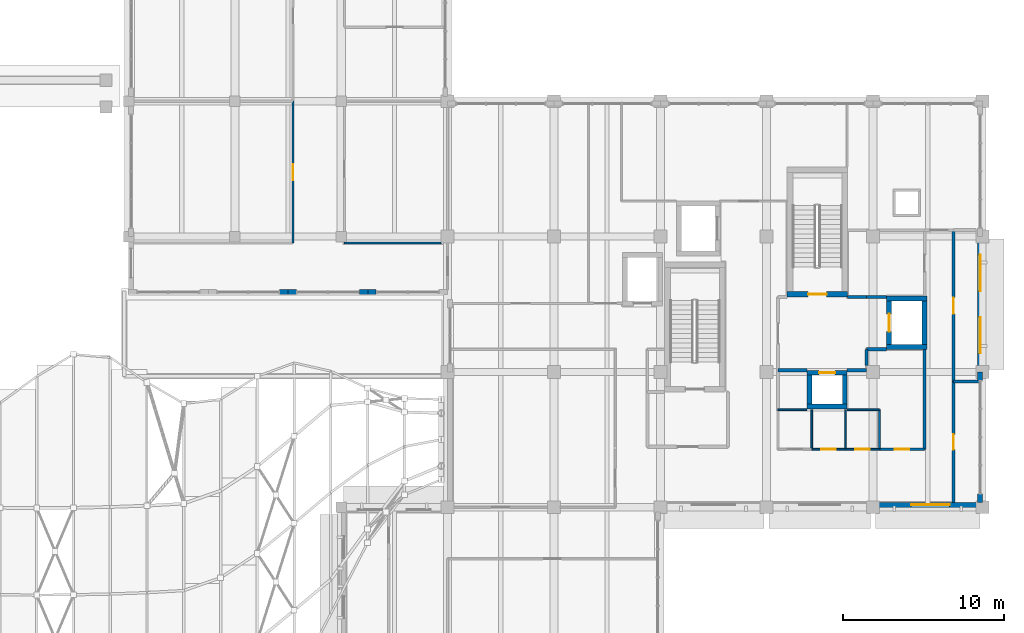
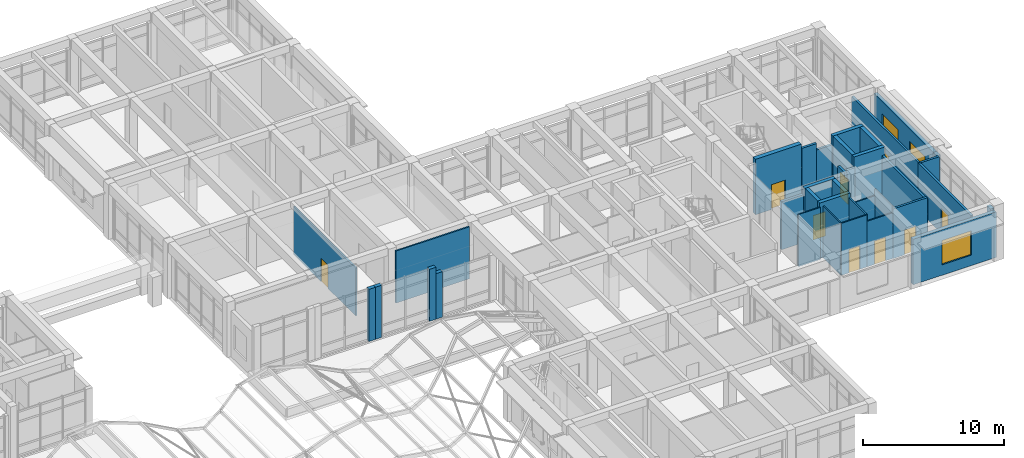
# One storey, part 59 of 79: 37 walls, 9 doors, 3 windows, 12 openings.
"""IFC4 building model written with IfcOpenShell, lengths in metres."""

from ifc_helpers import new_model, si_unit, direction, frame, frame_2d, origin, place, context, subcontext, project, spatial, rectangle, extrude, material, layer, layer_set, type_object, element, fill, save


model = new_model("IFC4")

# Units and contexts
model_context = context("Model", 3, precision=1e-05, world=origin(), true_north=direction((0.0, 1.0)))
body_context = subcontext(model_context, "Body", "Model", "MODEL_VIEW")
ifc_project = project(units=[si_unit("LENGTHUNIT", "METRE"), si_unit("AREAUNIT", "SQUARE_METRE"), si_unit("VOLUMEUNIT", "CUBIC_METRE"), si_unit("PLANEANGLEUNIT", "RADIAN"), si_unit("MASSUNIT", "GRAM", prefix="KILO")], contexts=[model_context])

# Site, building, storey
site_placement = place(None, origin())
site = spatial("IfcSite", under=ifc_project, at=site_placement, CompositionType="ELEMENT")
building_placement = place(site_placement, origin())
building = spatial("IfcBuilding", under=site, at=building_placement, Name="Kolvaren Faculty of Natural Sciences", CompositionType="ELEMENT")
storey_placement = place(building_placement, frame((0.0, 0.0, 10.199951171875)))
storey = spatial("IfcBuildingStorey", under=building, at=storey_placement, Name="L02", CompositionType="ELEMENT", Elevation=10.199951171875)

# Wall, opening, door
ifc_material_1 = material(Name="Concrete C40/50", Category="concrete")
ifc_layer_1 = layer(ifc_material_1, 0.35009765625)
ifc_layer_set_1 = layer_set([ifc_layer_1], Name="Concrete C40/50")
wall_type_1 = type_object("IfcWallType", Name="CoreShearWall_350", PredefinedType="SHEAR", material=ifc_layer_set_1)
wall_1_placement = place(storey_placement, frame((159.875, 72.22509765625, 0.0), z_axis=(0.0, 0.0, 1.0), x_axis=(1.0, 0.0, 0.0)))
wall_1 = element("IfcWall", 1, at=wall_1_placement, inside=storey, type_object=wall_type_1, Name="L02 CORE-C1 stair shear wall S", PredefinedType="SHEAR", context=body_context, shape_type="SweptSolid", body=[
    extrude(rectangle(XDim=3.75, YDim=0.35009765625, at=frame_2d((1.875, 0.0))), origin(), (0.0, 0.0, 1.0), 4.800048828125),
])
opening_1_placement = place(wall_1_placement, frame((1.300048828125, 0.0, 0.0)))
opening_1 = element("IfcOpeningElement", 2, at=opening_1_placement, cuts=wall_1, Name="Opening FD90", PredefinedType="OPENING", context=body_context, shape_type="SweptSolid", body=[
    extrude(rectangle(XDim=1.14990234375, YDim=2.14990234375, at=frame_2d((0.574951171875, 1.074951171875))), frame((0.0, 0.18505859375, 0.0), z_axis=(0.0, -1.0, 0.0), x_axis=(1.0, 0.0, 0.0)), (0.0, 0.0, 1.0), 0.3701171875),
])
ifc_material_2 = material(Name="Fire-rated solid-core hardwood door leaf in steel frame", Category="steel")
door_type_1 = type_object("IfcDoorType", Name="StairCoreFireDoor_1150x2150", OperationType="NOTDEFINED", PredefinedType="DOOR", material=ifc_material_2)
door_1_placement = place(opening_1_placement, origin())
door_1 = element("IfcDoor", 3, at=door_1_placement, inside=storey, type_object=door_type_1, Name="D-ST-ST-1-L02", OperationType="SINGLE_SWING_RIGHT", OverallHeight=2.14990234375, OverallWidth=1.14990234375, PredefinedType="DOOR", context=body_context, shape_type="SweptSolid", body=[
    extrude(rectangle(XDim=1.14990234375, YDim=2.14990234375, at=frame_2d((0.574951171875, 1.074951171875))), frame((0.0, 0.02490234375, 0.0), z_axis=(0.0, -1.0, 0.0), x_axis=(1.0, 0.0, 0.0)), (0.0, 0.0, 1.0), 0.050048828125),
])
fill(opening_1, door_1)

# Walls
ifc_material_3 = material(Name="Sandstone-faced insulated cavity masonry", Category="masonry")
ifc_layer_2 = layer(ifc_material_3, 0.300048828125)
ifc_layer_set_2 = layer_set([ifc_layer_2], Name="Sandstone-faced insulated cavity masonry")
wall_type_2 = type_object("IfcWallType", Name="ExteriorCavityWall_300", PredefinedType="STANDARD", material=ifc_layer_set_2)
wall_2_placement = place(storey_placement, frame((134.3701171875, 72.35009765625, 0.0), z_axis=(0.0, 0.0, 1.0), x_axis=(-1.0, 0.0, 0.0)))
element("IfcWall", 4, at=wall_2_placement, inside=storey, type_object=wall_type_2, Name="L02 curtain-wall pier stub 362", PredefinedType="STANDARD", context=body_context, shape_type="SweptSolid", body=[
    extrude(rectangle(XDim=0.52001953125, YDim=0.300048828125, at=frame_2d((0.260009765625, 0.0))), origin(), (0.0, 0.0, 1.0), 3.93505859375),
])
for number, where, z_axis, x_axis, name in (
    (5, (133.85009765625, 72.35009765625, 0.0), (0.0, 0.0, 1.0), (-1.0, 0.0, 0.0), "L02 curtain-wall pier stub 363"),
    (6, (129.419921875, 72.35009765625, 0.0), (0.0, 0.0, 1.0), (-1.0, 0.0, 0.0), "L02 curtain-wall pier stub 364"),
    (7, (128.89990234375, 72.35009765625, 0.0), (0.0, 0.0, 1.0), (-1.0, 0.0, 0.0), "L02 curtain-wall pier stub 365"),
):
    element("IfcWall", number, at=place(storey_placement, frame(where, z_axis=z_axis, x_axis=x_axis)), inside=storey, type_object=wall_type_2, Name=name, PredefinedType="STANDARD", context=body_context, shape_type="SweptSolid", body=[
        extrude(rectangle(XDim=0.52001953125, YDim=0.300048828125, at=frame_2d((0.260009765625, 0.0))), origin(), (0.0, 0.0, 1.0), 4.5),
    ])

# Wall, openings, windows
wall_3_placement = place(storey_placement, frame((171.85009765625, 75.800048828125, 0.0), z_axis=(0.0, 0.0, 1.0), x_axis=(0.0, -1.0, 0.0)))
wall_3 = element("IfcWall", 8, at=wall_3_placement, inside=storey, type_object=wall_type_2, Name="L02 exterior masonry wall EW-300 (400)", PredefinedType="STANDARD", context=body_context, shape_type="SweptSolid", body=[
    extrude(rectangle(XDim=8.400146484375, YDim=0.300048828125, at=frame_2d((4.2001953125, 0.0))), origin(), (0.0, 0.0, 1.0), 4.0849609375),
])
opening_2_placement = place(wall_3_placement, frame((1.14306640625, 0.0, 0.89990234375)))
opening_2 = element("IfcOpeningElement", 9, at=opening_2_placement, cuts=wall_3, Name="Opening WIN-08", PredefinedType="OPENING", context=body_context, shape_type="SweptSolid", body=[
    extrude(rectangle(XDim=2.25, YDim=2.10009765625, at=frame_2d((1.125, 1.050048828125))), frame((0.0, 0.159912109375, 0.0), z_axis=(0.0, -1.0, 0.0), x_axis=(1.0, 0.0, 0.0)), (0.0, 0.0, 1.0), 0.320068359375),
])
opening_3_placement = place(wall_3_placement, frame((5.007080078125, 0.0, 0.89990234375)))
opening_3 = element("IfcOpeningElement", 10, at=opening_3_placement, cuts=wall_3, Name="Opening WIN-08", PredefinedType="OPENING", context=body_context, shape_type="SweptSolid", body=[
    extrude(rectangle(XDim=2.25, YDim=2.10009765625, at=frame_2d((1.125, 1.050048828125))), frame((0.0, 0.159912109375, 0.0), z_axis=(0.0, -1.0, 0.0), x_axis=(1.0, 0.0, 0.0)), (0.0, 0.0, 1.0), 0.320068359375),
])
ifc_material_4 = material(Name="Double low-E solar control insulated glazing", Category="glass")
window_type_1 = type_object("IfcWindowType", Name="AluWindow_WIN08_2250x2100", PartitioningType="SINGLE_PANEL", PredefinedType="WINDOW", material=ifc_material_4)
window_1_placement = place(opening_2_placement, origin())
window_1 = element("IfcWindow", 11, at=window_1_placement, inside=storey, type_object=window_type_1, Name="WIN-L02-0284", OverallHeight=2.10009765625, OverallWidth=2.25, PartitioningType="SINGLE_PANEL", PredefinedType="WINDOW", context=body_context, shape_type="SweptSolid", body=[
    extrude(rectangle(XDim=2.25, YDim=2.10009765625, at=frame_2d((1.125, 1.050048828125))), frame((0.0, 0.030029296875, 0.0), z_axis=(0.0, -1.0, 0.0), x_axis=(1.0, 0.0, 0.0)), (0.0, 0.0, 1.0), 0.06005859375),
])
fill(opening_2, window_1)
window_2_placement = place(opening_3_placement, origin())
window_2 = element("IfcWindow", 12, at=window_2_placement, inside=storey, type_object=window_type_1, Name="WIN-L02-0285", OverallHeight=2.10009765625, OverallWidth=2.25, PartitioningType="SINGLE_PANEL", PredefinedType="WINDOW", context=body_context, shape_type="SweptSolid", body=[
    extrude(rectangle(XDim=2.25, YDim=2.10009765625, at=frame_2d((1.125, 1.050048828125))), frame((0.0, 0.030029296875, 0.0), z_axis=(0.0, -1.0, 0.0), x_axis=(1.0, 0.0, 0.0)), (0.0, 0.0, 1.0), 0.06005859375),
])
fill(opening_3, window_2)

# Walls
for number, where, z_axis, x_axis, name in (
    (13, (171.85009765625, 67.39990234375, 0.0), (0.0, 0.0, 1.0), (0.0, -1.0, 0.0), "L02 curtain-wall pier stub 401"),
    (14, (171.85009765625, 59.820068359375, 0.0), (0.0, 0.0, 1.0), (0.0, -1.0, 0.0), "L02 curtain-wall pier stub 402"),
):
    element("IfcWall", number, at=place(storey_placement, frame(where, z_axis=z_axis, x_axis=x_axis)), inside=storey, type_object=wall_type_2, Name=name, PredefinedType="STANDARD", context=body_context, shape_type="SweptSolid", body=[
        extrude(rectangle(XDim=0.52001953125, YDim=0.300048828125, at=frame_2d((0.260009765625, 0.0))), origin(), (0.0, 0.0, 1.0), 4.0849609375),
    ])

# Wall, opening, window
wall_4_placement = place(storey_placement, frame((172.0, 59.14990234375, 0.0), z_axis=(0.0, 0.0, 1.0), x_axis=(-1.0, 0.0, 0.0)))
wall_4 = element("IfcWall", 15, at=wall_4_placement, inside=storey, type_object=wall_type_2, Name="L02 exterior masonry wall EW-300 (403)", PredefinedType="STANDARD", context=body_context, shape_type="SweptSolid", body=[
    extrude(rectangle(XDim=6.800048828125, YDim=0.300048828125, at=frame_2d((3.39990234375, 0.0))), origin(), (0.0, 0.0, 1.0), 3.93505859375),
])
opening_4_placement = place(wall_4_placement, frame((2.0400390625, 0.0, 0.89990234375)))
opening_4 = element("IfcOpeningElement", 16, at=opening_4_placement, cuts=wall_4, Name="Opening WIN-09", PredefinedType="OPENING", context=body_context, shape_type="SweptSolid", body=[
    extrude(rectangle(XDim=2.39990234375, YDim=2.10009765625, at=frame_2d((1.199951171875, 1.050048828125))), frame((0.0, 0.159912109375, 0.0), z_axis=(0.0, -1.0, 0.0), x_axis=(1.0, 0.0, 0.0)), (0.0, 0.0, 1.0), 0.320068359375),
])
window_type_2 = type_object("IfcWindowType", Name="AluWindow_WIN09_2400x2100", PartitioningType="SINGLE_PANEL", PredefinedType="WINDOW", material=ifc_material_4)
window_3_placement = place(opening_4_placement, origin())
window_3 = element("IfcWindow", 17, at=window_3_placement, inside=storey, type_object=window_type_2, Name="WIN-L02-0286", OverallHeight=2.10009765625, OverallWidth=2.39990234375, PartitioningType="SINGLE_PANEL", PredefinedType="WINDOW", context=body_context, shape_type="SweptSolid", body=[
    extrude(rectangle(XDim=2.39990234375, YDim=2.10009765625, at=frame_2d((1.199951171875, 1.050048828125))), frame((0.0, 0.030029296875, 0.0), z_axis=(0.0, -1.0, 0.0), x_axis=(1.0, 0.0, 0.0)), (0.0, 0.0, 1.0), 0.06005859375),
])
fill(opening_4, window_3)

# Walls
ifc_material_5 = material(Name="Autoclaved aerated fire-rated masonry blockwork", Category="masonry")
ifc_layer_3 = layer(ifc_material_5, 0.199951171875)
ifc_layer_set_3 = layer_set([ifc_layer_3], Name="Autoclaved aerated fire-rated masonry blockwork")
wall_type_3 = type_object("IfcWallType", Name="FireLobbyWall_200", PredefinedType="PARTITIONING", material=ifc_layer_set_3)
wall_5_placement = place(storey_placement, frame((163.625, 72.050048828125, 0.0), z_axis=(0.0, 0.0, 1.0), x_axis=(1.0, 0.0, 0.0)))
element("IfcWall", 18, at=wall_5_placement, inside=storey, type_object=wall_type_3, Name="L02 interior partition FW-200", PredefinedType="PARTITIONING", context=body_context, shape_type="SweptSolid", body=[
    extrude(rectangle(XDim=1.175048828125, YDim=0.199951171875, at=frame_2d((0.58740234375, 0.0))), origin(), (0.0, 0.0, 1.0), 4.4951171875),
])
for number, where, z_axis, x_axis, name in (
    (19, (164.800048828125, 72.050048828125, 0.0), (0.0, 0.0, 1.0), (1.0, 0.0, 0.0), "L02 interior partition FW-200"),
    (20, (166.050048828125, 68.800048828125, 0.0), (0.0, 0.0, 1.0), (-1.0, 0.0, 0.0), "L02 interior partition FW-200"),
):
    element("IfcWall", number, at=place(storey_placement, frame(where, z_axis=z_axis, x_axis=x_axis)), inside=storey, type_object=wall_type_3, Name=name, PredefinedType="PARTITIONING", context=body_context, shape_type="SweptSolid", body=[
        extrude(rectangle(XDim=1.25, YDim=0.199951171875, at=frame_2d((0.625, 0.0))), origin(), (0.0, 0.0, 1.0), 3.93505859375),
    ])
wall_6_placement = place(storey_placement, frame((164.800048828125, 68.800048828125, 0.0), z_axis=(0.0, 0.0, 1.0), x_axis=(0.0, -1.0, 0.0)))
element("IfcWall", 21, at=wall_6_placement, inside=storey, type_object=wall_type_3, Name="L02 interior partition FW-200", PredefinedType="PARTITIONING", context=body_context, shape_type="SweptSolid", body=[
    extrude(rectangle(XDim=1.0, YDim=0.199951171875, at=frame_2d((0.5, 0.0))), origin(), (0.0, 0.0, 1.0), 4.4951171875),
])
wall_7_placement = place(storey_placement, frame((164.800048828125, 67.5, 0.0), z_axis=(0.0, 0.0, 1.0), x_axis=(-1.0, 0.0, 0.0)))
element("IfcWall", 22, at=wall_7_placement, inside=storey, type_object=wall_type_3, Name="L02 interior partition FW-200", PredefinedType="PARTITIONING", context=body_context, shape_type="SweptSolid", body=[
    extrude(rectangle(XDim=1.199951171875, YDim=0.199951171875, at=frame_2d((0.60009765625, 0.0))), origin(), (0.0, 0.0, 1.0), 4.135009765625),
])
wall_8_placement = place(storey_placement, frame((161.10009765625, 67.5, 0.0), z_axis=(0.0, 0.0, 1.0), x_axis=(-1.0, 0.0, 0.0)))
element("IfcWall", 23, at=wall_8_placement, inside=storey, type_object=wall_type_3, Name="L02 interior partition FW-200", PredefinedType="PARTITIONING", context=body_context, shape_type="SweptSolid", body=[
    extrude(rectangle(XDim=1.800048828125, YDim=0.199951171875, at=frame_2d((0.89990234375, 0.0))), origin(), (0.0, 0.0, 1.0), 4.135009765625),
])

# Wall, opening, door
ifc_material_6 = material(Name="Acoustic mineral-wool insulated gypsum partition")
ifc_layer_4 = layer(ifc_material_6, 0.179931640625)
ifc_layer_set_4 = layer_set([ifc_layer_4], Name="Acoustic mineral-wool insulated gypsum partition")
wall_type_4 = type_object("IfcWallType", Name="LabPartitionWall_180", PredefinedType="PARTITIONING", material=ifc_layer_set_4)
wall_9_placement = place(storey_placement, frame((170.199951171875, 59.302001953125, 0.0), z_axis=(0.0, 0.0, 1.0), x_axis=(0.0, 1.0, 0.0)))
wall_9 = element("IfcWall", 24, at=wall_9_placement, inside=storey, type_object=wall_type_4, Name="L02 interior partition PW-180", PredefinedType="PARTITIONING", context=body_context, shape_type="SweptSolid", body=[
    extrude(rectangle(XDim=7.498046875, YDim=0.179931640625, at=frame_2d((3.7490234375, 0.0))), origin(), (0.0, 0.0, 1.0), 4.0849609375),
])
opening_5_placement = place(wall_9_placement, frame((3.26904296875, 0.0, 0.0)))
opening_5 = element("IfcOpeningElement", 25, at=opening_5_placement, cuts=wall_9, Name="Opening ID-20", PredefinedType="OPENING", context=body_context, shape_type="SweptSolid", body=[
    extrude(rectangle(XDim=0.9599609375, YDim=2.139892578125, at=frame_2d((0.47998046875, 1.06982421875))), frame((0.0, 0.099853515625, 0.0), z_axis=(0.0, -1.0, 0.0), x_axis=(1.0, 0.0, 0.0)), (0.0, 0.0, 1.0), 0.199951171875),
])
ifc_material_7 = material(Name="Solid-core hardwood veneer door leaf in steel frame", Category="steel")
door_type_2 = type_object("IfcDoorType", Name="InteriorRoomDoor_960x2140", OperationType="NOTDEFINED", PredefinedType="DOOR", material=ifc_material_7)
door_2_placement = place(opening_5_placement, origin())
door_2 = element("IfcDoor", 26, at=door_2_placement, inside=storey, type_object=door_type_2, Name="D-L02-0213", OperationType="SINGLE_SWING_LEFT", OverallHeight=2.139892578125, OverallWidth=0.9599609375, PredefinedType="DOOR", context=body_context, shape_type="SweptSolid", body=[
    extrude(rectangle(XDim=0.9599609375, YDim=2.139892578125, at=frame_2d((0.47998046875, 1.06982421875))), frame((0.0, 0.02490234375, 0.0), z_axis=(0.0, -1.0, 0.0), x_axis=(1.0, 0.0, 0.0)), (0.0, 0.0, 1.0), 0.050048828125),
])
fill(opening_5, door_2)

# Walls
wall_10_placement = place(storey_placement, frame((170.199951171875, 66.800048828125, 0.0), z_axis=(0.0, 0.0, 1.0), x_axis=(1.0, 0.0, 0.0)))
element("IfcWall", 27, at=wall_10_placement, inside=storey, type_object=wall_type_4, Name="L02 interior partition PW-180", PredefinedType="PARTITIONING", context=body_context, shape_type="SweptSolid", body=[
    extrude(rectangle(XDim=1.6201171875, YDim=0.179931640625, at=frame_2d((0.81005859375, 0.0))), origin(), (0.0, 0.0, 1.0), 4.0849609375),
])
ifc_layer_5 = layer(ifc_material_6, 0.18505859375)
ifc_layer_set_5 = layer_set([ifc_layer_5], Name="Acoustic mineral-wool insulated gypsum partition")
wall_type_5 = type_object("IfcWallType", Name="LabPartitionWall_185", PredefinedType="PARTITIONING", material=ifc_layer_set_5)
wall_11_placement = place(storey_placement, frame((168.39990234375, 68.798095703125, 0.0), z_axis=(0.0, 0.0, 1.0), x_axis=(0.0, -1.0, 0.0)))
element("IfcWall", 28, at=wall_11_placement, inside=storey, type_object=wall_type_5, Name="L02 interior partition PW-185", PredefinedType="PARTITIONING", context=body_context, shape_type="SweptSolid", body=[
    extrude(rectangle(XDim=6.197998046875, YDim=0.18505859375, at=frame_2d((3.09912109375, 0.0))), origin(), (0.0, 0.0, 1.0), 4.135009765625),
])

# Wall, opening, door
wall_12_placement = place(storey_placement, frame((168.39990234375, 62.60009765625, 0.0), z_axis=(0.0, 0.0, 1.0), x_axis=(-1.0, 0.0, 0.0)))
wall_12 = element("IfcWall", 29, at=wall_12_placement, inside=storey, type_object=wall_type_5, Name="L02 interior partition PW-185", PredefinedType="PARTITIONING", context=body_context, shape_type="SweptSolid", body=[
    extrude(rectangle(XDim=2.7998046875, YDim=0.18505859375, at=frame_2d((1.39990234375, 0.0))), origin(), (0.0, 0.0, 1.0), 4.28515625),
])
opening_6_placement = place(wall_12_placement, frame((0.93994140625, 0.0, 0.0)))
opening_6 = element("IfcOpeningElement", 30, at=opening_6_placement, cuts=wall_12, Name="Opening ID-19", PredefinedType="OPENING", context=body_context, shape_type="SweptSolid", body=[
    extrude(rectangle(XDim=0.919921875, YDim=2.139892578125, at=frame_2d((0.4599609375, 1.06982421875))), frame((0.0, 0.1025390625, 0.0), z_axis=(0.0, -1.0, 0.0), x_axis=(1.0, 0.0, 0.0)), (0.0, 0.0, 1.0), 0.205078125),
])
door_type_3 = type_object("IfcDoorType", Name="InteriorRoomDoor_920x2140", OperationType="NOTDEFINED", PredefinedType="DOOR", material=ifc_material_7)
door_3_placement = place(opening_6_placement, origin())
door_3 = element("IfcDoor", 31, at=door_3_placement, inside=storey, type_object=door_type_3, Name="D-L02-0212", OperationType="SINGLE_SWING_RIGHT", OverallHeight=2.139892578125, OverallWidth=0.919921875, PredefinedType="DOOR", context=body_context, shape_type="SweptSolid", body=[
    extrude(rectangle(XDim=0.919921875, YDim=2.139892578125, at=frame_2d((0.4599609375, 1.06982421875))), frame((0.0, 0.02490234375, 0.0), z_axis=(0.0, -1.0, 0.0), x_axis=(1.0, 0.0, 0.0)), (0.0, 0.0, 1.0), 0.050048828125),
])
fill(opening_6, door_3)

ifc_layer_6 = layer(ifc_material_6, 0.1298828125)
ifc_layer_set_6 = layer_set([ifc_layer_6], Name="Acoustic mineral-wool insulated gypsum partition")
wall_type_6 = type_object("IfcWallType", Name="OfficePartitionWall_130", PredefinedType="PARTITIONING", material=ifc_layer_set_6)
wall_13_placement = place(storey_placement, frame((129.199951171875, 84.199951171875, 0.0), z_axis=(0.0, 0.0, 1.0), x_axis=(0.0, -1.0, 0.0)))
wall_13 = element("IfcWall", 32, at=wall_13_placement, inside=storey, type_object=wall_type_6, Name="L02 interior partition PW-130", PredefinedType="PARTITIONING", context=body_context, shape_type="SweptSolid", body=[
    extrude(rectangle(XDim=8.800048828125, YDim=0.1298828125, at=frame_2d((4.39990234375, 0.0))), origin(), (0.0, 0.0, 1.0), 4.135009765625),
])
opening_7_placement = place(wall_13_placement, frame((3.909912109375, 0.0, 0.0)))
opening_7 = element("IfcOpeningElement", 33, at=opening_7_placement, cuts=wall_13, Name="Opening ID-03", PredefinedType="OPENING", context=body_context, shape_type="SweptSolid", body=[
    extrude(rectangle(XDim=0.97998046875, YDim=2.02001953125, at=frame_2d((0.489990234375, 1.010009765625))), frame((0.0, 0.074951171875, 0.0), z_axis=(0.0, -1.0, 0.0), x_axis=(1.0, 0.0, 0.0)), (0.0, 0.0, 1.0), 0.14990234375),
])
door_type_4 = type_object("IfcDoorType", Name="InteriorRoomDoor_980x2020", OperationType="NOTDEFINED", PredefinedType="DOOR", material=ifc_material_7)
door_4_placement = place(opening_7_placement, origin())
door_4 = element("IfcDoor", 34, at=door_4_placement, inside=storey, type_object=door_type_4, Name="D-L02-0187", OperationType="SINGLE_SWING_LEFT", OverallHeight=2.02001953125, OverallWidth=0.97998046875, PredefinedType="DOOR", context=body_context, shape_type="SweptSolid", body=[
    extrude(rectangle(XDim=0.97998046875, YDim=2.02001953125, at=frame_2d((0.489990234375, 1.010009765625))), frame((0.0, 0.02490234375, 0.0), z_axis=(0.0, -1.0, 0.0), x_axis=(1.0, 0.0, 0.0)), (0.0, 0.0, 1.0), 0.050048828125),
])
fill(opening_7, door_4)

ifc_layer_7 = layer(ifc_material_6, 0.169921875)
ifc_layer_set_7 = layer_set([ifc_layer_7], Name="Acoustic mineral-wool insulated gypsum partition")
wall_type_7 = type_object("IfcWallType", Name="SeminarPartitionWall_170", PredefinedType="PARTITIONING", material=ifc_layer_set_7)
wall_14_placement = place(storey_placement, frame((170.199951171875, 66.800048828125, 0.0), z_axis=(0.0, 0.0, 1.0), x_axis=(0.0, 1.0, 0.0)))
wall_14 = element("IfcWall", 35, at=wall_14_placement, inside=storey, type_object=wall_type_7, Name="L02 interior partition PW-170", PredefinedType="PARTITIONING", context=body_context, shape_type="SweptSolid", body=[
    extrude(rectangle(XDim=9.39990234375, YDim=0.169921875, at=frame_2d((4.699951171875, 0.0))), origin(), (0.0, 0.0, 1.0), 4.135009765625),
])
opening_8_placement = place(wall_14_placement, frame((4.195068359375, 0.0, 0.0)))
opening_8 = element("IfcOpeningElement", 36, at=opening_8_placement, cuts=wall_14, Name="Opening ID-21", PredefinedType="OPENING", context=body_context, shape_type="SweptSolid", body=[
    extrude(rectangle(XDim=1.010009765625, YDim=2.139892578125, at=frame_2d((0.5048828125, 1.06982421875))), frame((0.0, 0.094970703125, 0.0), z_axis=(0.0, -1.0, 0.0), x_axis=(1.0, 0.0, 0.0)), (0.0, 0.0, 1.0), 0.18994140625),
])
door_type_5 = type_object("IfcDoorType", Name="InteriorRoomDoor_1010x2140", OperationType="NOTDEFINED", PredefinedType="DOOR", material=ifc_material_7)
door_5_placement = place(opening_8_placement, origin())
door_5 = element("IfcDoor", 37, at=door_5_placement, inside=storey, type_object=door_type_5, Name="D-L02-0214", OperationType="SINGLE_SWING_RIGHT", OverallHeight=2.139892578125, OverallWidth=1.010009765625, PredefinedType="DOOR", context=body_context, shape_type="SweptSolid", body=[
    extrude(rectangle(XDim=1.010009765625, YDim=2.139892578125, at=frame_2d((0.5048828125, 1.06982421875))), frame((0.0, 0.02490234375, 0.0), z_axis=(0.0, -1.0, 0.0), x_axis=(1.0, 0.0, 0.0)), (0.0, 0.0, 1.0), 0.050048828125),
])
fill(opening_8, door_5)

# Walls
ifc_layer_8 = layer(ifc_material_1, 0.300048828125)
ifc_layer_set_8 = layer_set([ifc_layer_8], Name="Concrete C40/50")
wall_type_8 = type_object("IfcWallType", Name="ShaftShearWall_300", PredefinedType="SHEAR", material=ifc_layer_set_8)
for number, where, z_axis, x_axis, name in (
    (38, (166.050048828125, 68.949951171875, 0.0), (0.0, 0.0, 1.0), (1.0, 0.0, 0.0), "L02 lift FL-1 shaft wall S"),
    (39, (166.050048828125, 71.949951171875, 0.0), (0.0, 0.0, 1.0), (1.0, 0.0, 0.0), "L02 lift FL-1 shaft wall N"),
):
    element("IfcWall", number, at=place(storey_placement, frame(where, z_axis=z_axis, x_axis=x_axis)), inside=storey, type_object=wall_type_8, Name=name, PredefinedType="SHEAR", context=body_context, shape_type="SweptSolid", body=[
        extrude(rectangle(XDim=2.5, YDim=0.300048828125, at=frame_2d((1.25, 0.0))), origin(), (0.0, 0.0, 1.0), 4.800048828125),
    ])

# Wall, opening, door
wall_15_placement = place(storey_placement, frame((166.199951171875, 69.10009765625, 0.0), z_axis=(0.0, 0.0, 1.0), x_axis=(0.0, 1.0, 0.0)))
wall_15 = element("IfcWall", 40, at=wall_15_placement, inside=storey, type_object=wall_type_8, Name="L02 lift FL-1 shaft wall W", PredefinedType="SHEAR", context=body_context, shape_type="SweptSolid", body=[
    extrude(rectangle(XDim=2.699951171875, YDim=0.300048828125, at=frame_2d((1.35009765625, 0.0))), origin(), (0.0, 0.0, 1.0), 4.800048828125),
])
opening_9_placement = place(wall_15_placement, frame((0.800048828125, 0.0, 0.0)))
opening_9 = element("IfcOpeningElement", 41, at=opening_9_placement, cuts=wall_15, Name="Opening LD-01", PredefinedType="OPENING", context=body_context, shape_type="SweptSolid", body=[
    extrude(rectangle(XDim=1.10009765625, YDim=2.10009765625, at=frame_2d((0.550048828125, 1.050048828125))), frame((0.0, 0.159912109375, 0.0), z_axis=(0.0, -1.0, 0.0), x_axis=(1.0, 0.0, 0.0)), (0.0, 0.0, 1.0), 0.320068359375),
])
ifc_material_8 = material(Name="Brushed stainless steel lift car and sliding door assembly", Category="steel")
door_type_6 = type_object("IfcDoorType", Name="LiftLandingSliding_1100x2100", OperationType="DOUBLE_DOOR_SLIDING", PredefinedType="DOOR", material=ifc_material_8)
door_6_placement = place(opening_9_placement, origin())
door_6 = element("IfcDoor", 42, at=door_6_placement, inside=storey, type_object=door_type_6, Name="D-LIFT-FL-1-L02", OperationType="DOUBLE_DOOR_SLIDING", OverallHeight=2.10009765625, OverallWidth=1.10009765625, PredefinedType="DOOR", context=body_context, shape_type="SweptSolid", body=[
    extrude(rectangle(XDim=1.10009765625, YDim=2.10009765625, at=frame_2d((0.550048828125, 1.050048828125))), frame((0.0, 0.02490234375, 0.0), z_axis=(0.0, -1.0, 0.0), x_axis=(1.0, 0.0, 0.0)), (0.0, 0.0, 1.0), 0.050048828125),
])
fill(opening_9, door_6)

# Walls
wall_16_placement = place(storey_placement, frame((168.39990234375, 69.10009765625, 0.0), z_axis=(0.0, 0.0, 1.0), x_axis=(0.0, 1.0, 0.0)))
element("IfcWall", 43, at=wall_16_placement, inside=storey, type_object=wall_type_8, Name="L02 lift FL-1 shaft wall E", PredefinedType="SHEAR", context=body_context, shape_type="SweptSolid", body=[
    extrude(rectangle(XDim=2.699951171875, YDim=0.300048828125, at=frame_2d((1.35009765625, 0.0))), origin(), (0.0, 0.0, 1.0), 4.800048828125),
])
wall_17_placement = place(storey_placement, frame((161.10009765625, 65.25, 0.0), z_axis=(0.0, 0.0, 1.0), x_axis=(1.0, 0.0, 0.0)))
element("IfcWall", 44, at=wall_17_placement, inside=storey, type_object=wall_type_8, Name="L02 lift PL-1 shaft wall S", PredefinedType="SHEAR", context=body_context, shape_type="SweptSolid", body=[
    extrude(rectangle(XDim=2.5, YDim=0.300048828125, at=frame_2d((1.25, 0.0))), origin(), (0.0, 0.0, 1.0), 4.800048828125),
])

# Wall, opening, door
wall_18_placement = place(storey_placement, frame((161.10009765625, 67.35009765625, 0.0), z_axis=(0.0, 0.0, 1.0), x_axis=(1.0, 0.0, 0.0)))
wall_18 = element("IfcWall", 45, at=wall_18_placement, inside=storey, type_object=wall_type_8, Name="L02 lift PL-1 shaft wall N", PredefinedType="SHEAR", context=body_context, shape_type="SweptSolid", body=[
    extrude(rectangle(XDim=2.5, YDim=0.300048828125, at=frame_2d((1.25, 0.0))), origin(), (0.0, 0.0, 1.0), 4.800048828125),
])
opening_10_placement = place(wall_18_placement, frame((0.75, 0.0, 0.0)))
opening_10 = element("IfcOpeningElement", 46, at=opening_10_placement, cuts=wall_18, Name="Opening LD-02", PredefinedType="OPENING", context=body_context, shape_type="SweptSolid", body=[
    extrude(rectangle(XDim=1.0, YDim=2.10009765625, at=frame_2d((0.5, 1.050048828125))), frame((0.0, 0.159912109375, 0.0), z_axis=(0.0, -1.0, 0.0), x_axis=(1.0, 0.0, 0.0)), (0.0, 0.0, 1.0), 0.320068359375),
])
door_type_7 = type_object("IfcDoorType", Name="LiftLandingSliding_1000x2100", OperationType="SLIDING_TO_LEFT", PredefinedType="DOOR", material=ifc_material_8)
door_7_placement = place(opening_10_placement, origin())
door_7 = element("IfcDoor", 47, at=door_7_placement, inside=storey, type_object=door_type_7, Name="D-LIFT-PL-1-L02", OperationType="SLIDING_TO_LEFT", OverallHeight=2.10009765625, OverallWidth=1.0, PredefinedType="DOOR", context=body_context, shape_type="SweptSolid", body=[
    extrude(rectangle(XDim=1.0, YDim=2.10009765625, at=frame_2d((0.5, 1.050048828125))), frame((0.0, 0.02490234375, 0.0), z_axis=(0.0, -1.0, 0.0), x_axis=(1.0, 0.0, 0.0)), (0.0, 0.0, 1.0), 0.050048828125),
])
fill(opening_10, door_7)

# Walls
for number, where, z_axis, x_axis, name in (
    (48, (161.25, 65.39990234375, 0.0), (0.0, 0.0, 1.0), (0.0, 1.0, 0.0), "L02 lift PL-1 shaft wall W"),
    (49, (163.449951171875, 65.39990234375, 0.0), (0.0, 0.0, 1.0), (0.0, 1.0, 0.0), "L02 lift PL-1 shaft wall E"),
):
    element("IfcWall", number, at=place(storey_placement, frame(where, z_axis=z_axis, x_axis=x_axis)), inside=storey, type_object=wall_type_8, Name=name, PredefinedType="SHEAR", context=body_context, shape_type="SweptSolid", body=[
        extrude(rectangle(XDim=1.800048828125, YDim=0.300048828125, at=frame_2d((0.89990234375, 0.0))), origin(), (0.0, 0.0, 1.0), 4.800048828125),
    ])
ifc_layer_9 = layer(ifc_material_6, 0.1201171875)
ifc_layer_set_9 = layer_set([ifc_layer_9], Name="Acoustic mineral-wool insulated gypsum partition")
wall_type_9 = type_object("IfcWallType", Name="StudioPartitionWall_120", PredefinedType="PARTITIONING", material=ifc_layer_set_9)
wall_19_placement = place(storey_placement, frame((138.39990234375, 75.39990234375, 0.0), z_axis=(0.0, 0.0, 1.0), x_axis=(-1.0, 0.0, 0.0)))
element("IfcWall", 50, at=wall_19_placement, inside=storey, type_object=wall_type_9, Name="L02 interior partition PW-120", PredefinedType="PARTITIONING", context=body_context, shape_type="SweptSolid", body=[
    extrude(rectangle(XDim=6.0, YDim=0.1201171875, at=frame_2d((3.0, 0.0))), origin(), (0.0, 0.0, 1.0), 4.4951171875),
])
ifc_layer_10 = layer(ifc_material_6, 0.10498046875)
ifc_layer_set_10 = layer_set([ifc_layer_10], Name="Acoustic mineral-wool insulated gypsum partition")
wall_type_10 = type_object("IfcWallType", Name="WetRoomPartition_105", PredefinedType="PARTITIONING", material=ifc_layer_set_10)
wall_20_placement = place(storey_placement, frame((159.300048828125, 65.050048828125, 0.0), z_axis=(0.0, 0.0, 1.0), x_axis=(1.0, 0.0, 0.0)))
element("IfcWall", 51, at=wall_20_placement, inside=storey, type_object=wall_type_10, Name="L02 interior partition PW-105", PredefinedType="PARTITIONING", context=body_context, shape_type="SweptSolid", body=[
    extrude(rectangle(XDim=1.800048828125, YDim=0.10498046875, at=frame_2d((0.89990234375, 0.0))), origin(), (0.0, 0.0, 1.0), 4.4951171875),
])
for number, where, z_axis, x_axis, name in (
    (52, (161.39990234375, 65.050048828125, 0.0), (0.0, 0.0, 1.0), (0.0, -1.0, 0.0), "L02 interior partition PW-105"),
    (53, (163.5, 65.050048828125, 0.0), (0.0, 0.0, 1.0), (0.0, -1.0, 0.0), "L02 interior partition PW-105"),
):
    element("IfcWall", number, at=place(storey_placement, frame(where, z_axis=z_axis, x_axis=x_axis)), inside=storey, type_object=wall_type_10, Name=name, PredefinedType="PARTITIONING", context=body_context, shape_type="SweptSolid", body=[
        extrude(rectangle(XDim=2.449951171875, YDim=0.10498046875, at=frame_2d((1.22509765625, 0.0))), origin(), (0.0, 0.0, 1.0), 4.4951171875),
    ])

# Wall, opening, door
wall_21_placement = place(storey_placement, frame((163.5, 62.60009765625, 0.0), z_axis=(0.0, 0.0, 1.0), x_axis=(-1.0, 0.0, 0.0)))
wall_21 = element("IfcWall", 54, at=wall_21_placement, inside=storey, type_object=wall_type_10, Name="L02 interior partition PW-105", PredefinedType="PARTITIONING", context=body_context, shape_type="SweptSolid", body=[
    extrude(rectangle(XDim=2.10009765625, YDim=0.10498046875, at=frame_2d((1.050048828125, 0.0))), origin(), (0.0, 0.0, 1.0), 4.4951171875),
])
opening_11_placement = place(wall_21_placement, frame((0.60009765625, 0.0, 0.0)))
opening_11 = element("IfcOpeningElement", 55, at=opening_11_placement, cuts=wall_21, Name="Opening ID-01", PredefinedType="OPENING", context=body_context, shape_type="SweptSolid", body=[
    extrude(rectangle(XDim=0.89990234375, YDim=2.02001953125, at=frame_2d((0.449951171875, 1.010009765625))), frame((0.0, 0.0625, 0.0), z_axis=(0.0, -1.0, 0.0), x_axis=(1.0, 0.0, 0.0)), (0.0, 0.0, 1.0), 0.125),
])
door_type_8 = type_object("IfcDoorType", Name="InteriorRoomDoor_900x2020", OperationType="NOTDEFINED", PredefinedType="DOOR", material=ifc_material_7)
door_8_placement = place(opening_11_placement, origin())
door_8 = element("IfcDoor", 56, at=door_8_placement, inside=storey, type_object=door_type_8, Name="D-L02-0179", OperationType="SINGLE_SWING_LEFT", OverallHeight=2.02001953125, OverallWidth=0.89990234375, PredefinedType="DOOR", context=body_context, shape_type="SweptSolid", body=[
    extrude(rectangle(XDim=0.89990234375, YDim=2.02001953125, at=frame_2d((0.449951171875, 1.010009765625))), frame((0.0, 0.02490234375, 0.0), z_axis=(0.0, -1.0, 0.0), x_axis=(1.0, 0.0, 0.0)), (0.0, 0.0, 1.0), 0.050048828125),
])
fill(opening_11, door_8)

# Walls
wall_22_placement = place(storey_placement, frame((163.60009765625, 65.050048828125, 0.0), z_axis=(0.0, 0.0, 1.0), x_axis=(1.0, 0.0, 0.0)))
element("IfcWall", 57, at=wall_22_placement, inside=storey, type_object=wall_type_10, Name="L02 interior partition PW-105", PredefinedType="PARTITIONING", context=body_context, shape_type="SweptSolid", body=[
    extrude(rectangle(XDim=2.0, YDim=0.10498046875, at=frame_2d((1.0, 0.0))), origin(), (0.0, 0.0, 1.0), 3.93505859375),
])
wall_23_placement = place(storey_placement, frame((165.60009765625, 65.050048828125, 0.0), z_axis=(0.0, 0.0, 1.0), x_axis=(0.0, -1.0, 0.0)))
element("IfcWall", 58, at=wall_23_placement, inside=storey, type_object=wall_type_10, Name="L02 interior partition PW-105", PredefinedType="PARTITIONING", context=body_context, shape_type="SweptSolid", body=[
    extrude(rectangle(XDim=2.449951171875, YDim=0.10498046875, at=frame_2d((1.22509765625, 0.0))), origin(), (0.0, 0.0, 1.0), 4.4951171875),
])

# Wall, opening, door
wall_24_placement = place(storey_placement, frame((165.60009765625, 62.60009765625, 0.0), z_axis=(0.0, 0.0, 1.0), x_axis=(-1.0, 0.0, 0.0)))
wall_24 = element("IfcWall", 59, at=wall_24_placement, inside=storey, type_object=wall_type_10, Name="L02 interior partition PW-105", PredefinedType="PARTITIONING", context=body_context, shape_type="SweptSolid", body=[
    extrude(rectangle(XDim=2.10009765625, YDim=0.10498046875, at=frame_2d((1.050048828125, 0.0))), origin(), (0.0, 0.0, 1.0), 3.93505859375),
])
opening_12_placement = place(wall_24_placement, frame((0.60009765625, 0.0, 0.0)))
opening_12 = element("IfcOpeningElement", 60, at=opening_12_placement, cuts=wall_24, Name="Opening ID-01", PredefinedType="OPENING", context=body_context, shape_type="SweptSolid", body=[
    extrude(rectangle(XDim=0.89990234375, YDim=2.02001953125, at=frame_2d((0.449951171875, 1.010009765625))), frame((0.0, 0.0625, 0.0), z_axis=(0.0, -1.0, 0.0), x_axis=(1.0, 0.0, 0.0)), (0.0, 0.0, 1.0), 0.125),
])
door_9_placement = place(opening_12_placement, origin())
door_9 = element("IfcDoor", 61, at=door_9_placement, inside=storey, type_object=door_type_8, Name="D-L02-0180", OperationType="SINGLE_SWING_RIGHT", OverallHeight=2.02001953125, OverallWidth=0.89990234375, PredefinedType="DOOR", context=body_context, shape_type="SweptSolid", body=[
    extrude(rectangle(XDim=0.89990234375, YDim=2.02001953125, at=frame_2d((0.449951171875, 1.010009765625))), frame((0.0, 0.02490234375, 0.0), z_axis=(0.0, -1.0, 0.0), x_axis=(1.0, 0.0, 0.0)), (0.0, 0.0, 1.0), 0.050048828125),
])
fill(opening_12, door_9)

save(model, "model.ifc")
